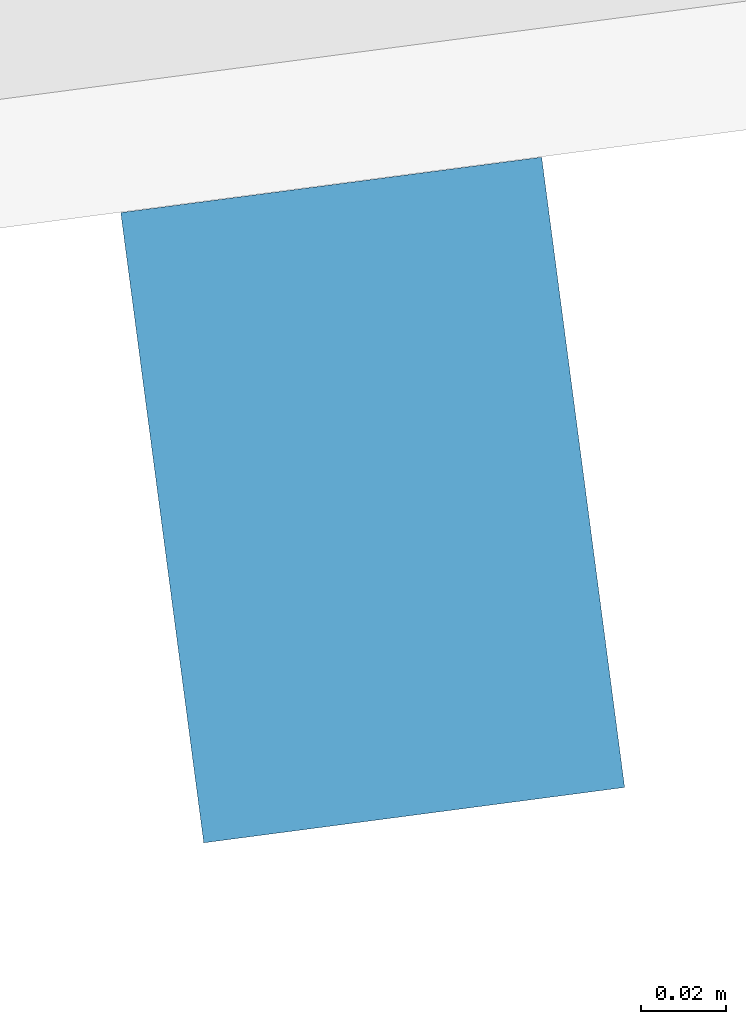
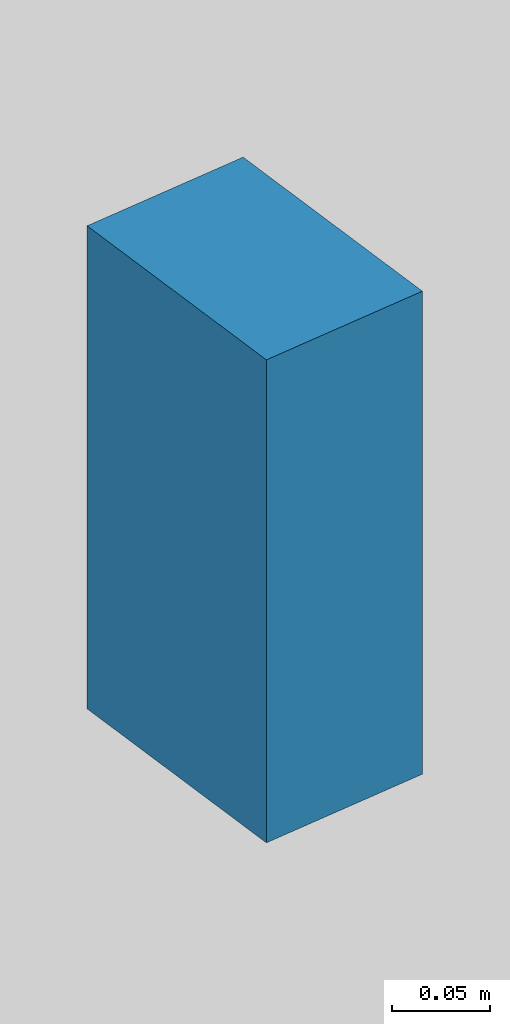
# One storey, part 10 of 30: 1 discrete accessory.
"""IFC4 building model written with IfcOpenShell, lengths in metres."""

from ifc_helpers import new_model, si_unit, direction, frame, origin, origin_2d, place, context, subcontext, project, spatial, rectangle, extrude, material, type_object, element, save


model = new_model("IFC4")

# Units and contexts
model_context = context("Model", 3, precision=1e-05, world=origin(), true_north=direction((0.0, 1.0)))
body_context = subcontext(model_context, "Body", "Model", "MODEL_VIEW")
ifc_project = project(units=[si_unit("LENGTHUNIT", "METRE"), si_unit("AREAUNIT", "SQUARE_METRE"), si_unit("VOLUMEUNIT", "CUBIC_METRE"), si_unit("PLANEANGLEUNIT", "RADIAN"), si_unit("MASSUNIT", "GRAM", prefix="KILO")], contexts=[model_context])

# Site, building, storey
site_placement = place(None, origin())
site = spatial("IfcSite", under=ifc_project, at=site_placement, CompositionType="ELEMENT")
building_placement = place(site_placement, origin())
building = spatial("IfcBuilding", under=site, at=building_placement, Name="Qamariyya Broadcast Tower", CompositionType="ELEMENT")
storey_placement = place(building_placement, frame((0.0, 0.0, 67.10009765625)))
storey = spatial("IfcBuildingStorey", under=building, at=storey_placement, Name="L13", CompositionType="ELEMENT", Elevation=67.10009765625)

# Discrete accessory
ifc_material = material(Name="Stainless steel 316", Category="steel")
discrete_accessory_type = type_object("IfcDiscreteAccessoryType", Name="Slab edge fixing angle, stainless steel", PredefinedType="BRACKET", material=ifc_material)
discrete_accessory_placement = place(storey_placement, frame((14.257568359375, -78.364013671875, 3.2998046875), z_axis=(0.0, 0.0, 1.0), x_axis=(0.991444861374, 0.13052619222, 0.0)))
element("IfcDiscreteAccessory", 1, at=discrete_accessory_placement, inside=storey, type_object=discrete_accessory_type, Name="e-br-L13-09-0", PredefinedType="BRACKET", context=body_context, shape_type="SweptSolid", body=[
    extrude(rectangle(XDim=0.10009765625, YDim=0.14990234375, at=origin_2d()), origin(), (0.0, 0.0, 1.0), 0.300048828125),
])

save(model, "model.ifc")
